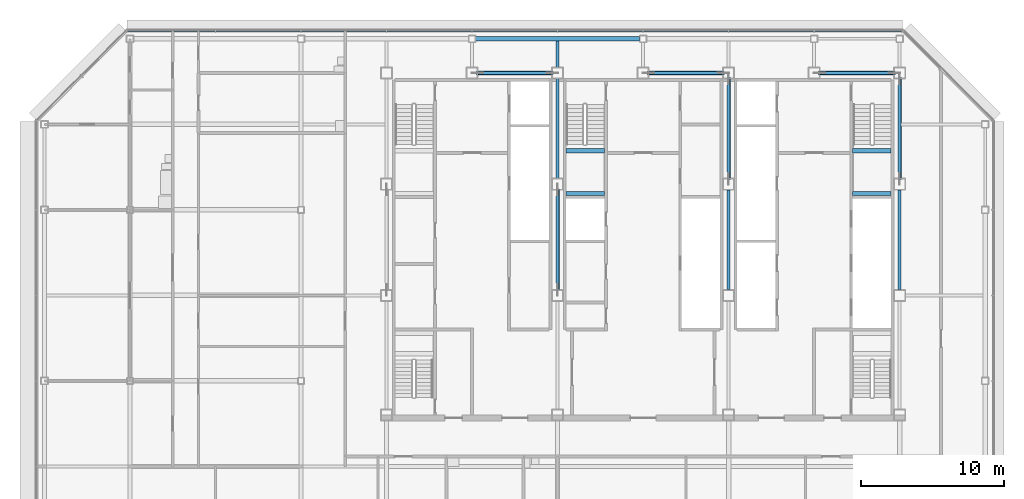
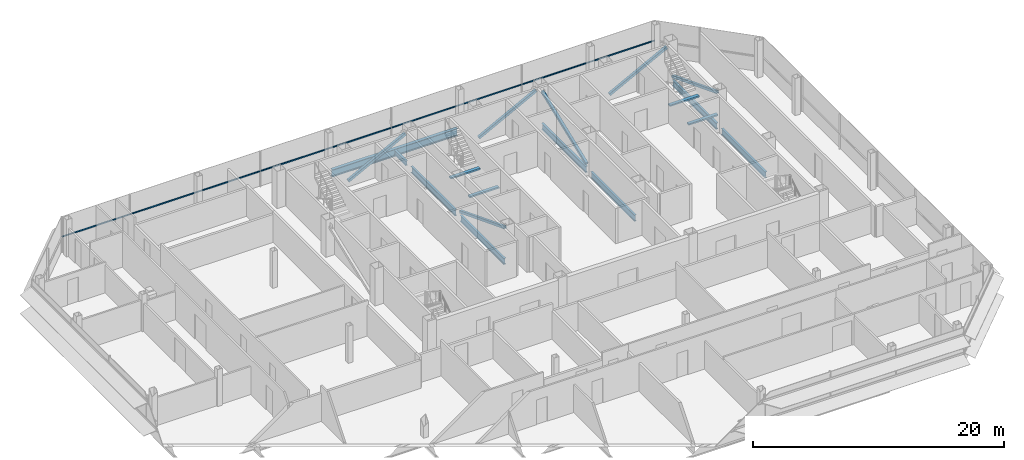
# One storey, part 15 of 27: 12 beams, 7 members, 1 element without a shape of its own.
"""IFC4 building model written with IfcOpenShell, lengths in metres."""

from ifc_helpers import new_model, si_unit, direction, frame, origin, origin_2d, place, context, subcontext, project, spatial, rectangle, hollow_rectangle, i_section, extrude, material, material_profile, profile_set, type_object, element, aggregate, save


model = new_model("IFC4")

# Units and contexts
model_context = context("Model", 3, precision=1e-05, world=origin(), true_north=direction((0.0, 1.0)))
body_context = subcontext(model_context, "Body", "Model", "MODEL_VIEW")
ifc_project = project(units=[si_unit("LENGTHUNIT", "METRE"), si_unit("AREAUNIT", "SQUARE_METRE"), si_unit("VOLUMEUNIT", "CUBIC_METRE"), si_unit("PLANEANGLEUNIT", "RADIAN"), si_unit("MASSUNIT", "GRAM", prefix="KILO")], contexts=[model_context])

# Site, building, storey
site_placement = place(None, origin())
site = spatial("IfcSite", under=ifc_project, at=site_placement, CompositionType="ELEMENT")
building_placement = place(site_placement, origin())
building = spatial("IfcBuilding", under=site, at=building_placement, Name="Sorahane Residences", CompositionType="ELEMENT")
storey_placement = place(building_placement, frame((0.0, 0.0, 312.39990234375)))
storey = spatial("IfcBuildingStorey", under=building, at=storey_placement, Name="L74", CompositionType="ELEMENT", Elevation=312.39990234375)

# Members
ifc_material_1 = material(Name="Steel Q355B", Category="steel")
ifc_material_profile_1 = material_profile(ifc_material_1, hollow_rectangle(XDim=0.25, YDim=0.25, WallThickness=0.011962890625, InnerFilletRadius=0.006103515625, OuterFilletRadius=0.01806640625, at=origin_2d()), Name="RHS 250x250x12")
ifc_profile_set_1 = profile_set([ifc_material_profile_1], Name="Steel Q355B")
member_type_1 = type_object("IfcMemberType", Name="Core brace RHS 250x250x12 Q355B", PredefinedType="BRACE", material=ifc_profile_set_1)
for number, where, z_axis, x_axis, name in (
    (1, (12.365234375, 45.60009765625, 0.10693359375), (0.886099769192, 0.0, 0.46349455125), (0.0, 1.0, 0.0), "Core brace L74 y45.6-2"),
    (2, (24.365234375, 45.60009765625, 0.10693359375), (0.886099769192, 0.0, 0.46349455125), (0.0, 1.0, 0.0), "Core brace L74 y45.6-4"),
    (3, (36.365234375, 45.60009765625, 0.10693359375), (0.886099769192, 0.0, 0.46349455125), (0.0, 1.0, 0.0), "Core brace L74 y45.6-6"),
):
    element("IfcMember", number, at=place(storey_placement, frame(where, z_axis=z_axis, x_axis=x_axis)), inside=storey, type_object=member_type_1, Name=name, PredefinedType="BRACE", context=body_context, shape_type="SweptSolid", body=[
        extrude(hollow_rectangle(XDim=0.25, YDim=0.25, WallThickness=0.011962890625, InnerFilletRadius=0.006103515625, OuterFilletRadius=0.01806640625, at=origin_2d()), origin(), (0.0, 0.0, 1.0), 5.94677734375),
    ])
member_1_placement = place(storey_placement, frame((42.0, 45.22705078125, 0.114501953125), z_axis=(0.0, -0.932097872445, 0.362206510411), x_axis=(1.0, 0.0, 0.0)))
element("IfcMember", 4, at=member_1_placement, inside=storey, type_object=member_type_1, Name="Core brace L74 x42-3", PredefinedType="BRACE", context=body_context, shape_type="SweptSolid", body=[
    extrude(hollow_rectangle(XDim=0.25, YDim=0.25, WallThickness=0.011962890625, InnerFilletRadius=0.006103515625, OuterFilletRadius=0.01806640625, at=origin_2d()), origin(), (0.0, 0.0, 1.0), 7.568115234375),
])
member_2_placement = place(storey_placement, frame((18.0, 37.42724609375, 0.114501953125), z_axis=(0.0, -0.932102104456, 0.362195619617), x_axis=(1.0, 0.0, 0.0)))
element("IfcMember", 5, at=member_2_placement, inside=storey, type_object=member_type_1, Name="Core brace L74 x18-1", PredefinedType="BRACE", context=body_context, shape_type="SweptSolid", body=[
    extrude(hollow_rectangle(XDim=0.25, YDim=0.25, WallThickness=0.011962890625, InnerFilletRadius=0.006103515625, OuterFilletRadius=0.01806640625, at=origin_2d()), origin(), (0.0, 0.0, 1.0), 7.568359375),
])
member_3_placement = place(storey_placement, frame((30.0, 38.1728515625, 0.114501953125), z_axis=(0.0, 0.932097872445, 0.362206510411), x_axis=(-1.0, 0.0, 0.0)))
element("IfcMember", 6, at=member_3_placement, inside=storey, type_object=member_type_1, Name="Core brace L74 x30-2", PredefinedType="BRACE", context=body_context, shape_type="SweptSolid", body=[
    extrude(hollow_rectangle(XDim=0.25, YDim=0.25, WallThickness=0.011962890625, InnerFilletRadius=0.006103515625, OuterFilletRadius=0.01806640625, at=origin_2d()), origin(), (0.0, 0.0, 1.0), 7.568115234375),
])

# Curtain wall, member
ifc_material_2 = material(Name="Dark low-e glass and black anodised aluminium", Category="aluminium")
curtain_wall_type = type_object("IfcCurtainWallType", Name="Curtain wall CW-1 Typical unitised wall", PredefinedType="NOTDEFINED", material=ifc_material_2)
curtain_wall_placement = place(storey_placement, origin())
curtain_wall = element("IfcCurtainWall", 7, at=curtain_wall_placement, inside=storey, type_object=curtain_wall_type, Name="CW-1 curtain wall L74 N1", PredefinedType="NOTDEFINED")
ifc_material_3 = material(Name="Black anodised aluminium", Category="aluminium")
ifc_material_profile_2 = material_profile(ifc_material_3, rectangle(XDim=0.10009765625, YDim=0.06005859375, at=origin_2d()), Name="Curtain wall transom CW-1 black anodised aluminium 60x100")
ifc_profile_set_2 = profile_set([ifc_material_profile_2], Name="Black anodised aluminium")
member_type_2 = type_object("IfcMemberType", Name="Curtain wall transom CW-1 black anodised aluminium 60x100", PredefinedType="USERDEFINED", material=ifc_profile_set_2)
member_4_placement = place(storey_placement, frame((42.198486328125, 48.530029296875, 1.5), z_axis=(-1.0, 0.0, 0.0), x_axis=(0.0, -1.0, 0.0)))
member_4 = element("IfcMember", 8, at=member_4_placement, type_object=member_type_2, Name="CW-1 transom L74 N1", ObjectType="TRANSOM", PredefinedType="USERDEFINED", context=body_context, shape_type="SweptSolid", body=[
    extrude(rectangle(XDim=0.10009765625, YDim=0.06005859375, at=origin_2d()), origin(), (0.0, 0.0, 1.0), 54.39697265625),
])
aggregate(curtain_wall, [member_4])

# Beams
ifc_material_4 = material(Name="Concrete C40", Category="concrete")
ifc_material_profile_3 = material_profile(ifc_material_4, rectangle(XDim=0.300048828125, YDim=0.139892578125, at=origin_2d()), Name="300x140")
ifc_profile_set_3 = profile_set([ifc_material_profile_3], Name="Concrete C40")
beam_type_1 = type_object("IfcBeamType", Name="RC landing beam 300 x 140 Concrete C40", PredefinedType="BEAM", material=ifc_profile_set_3)
for number, where, z_axis, x_axis, name in (
    (9, (38.699951171875, 37.14990234375, 1.530029296875), (1.0, 0.0, 0.0), (0.0, 1.0, 0.0), "Landing beam"),
    (10, (38.699951171875, 40.14990234375, 1.530029296875), (1.0, 0.0, 0.0), (0.0, 1.0, 0.0), "Landing beam"),
    (11, (18.60009765625, 37.14990234375, 1.530029296875), (1.0, 0.0, 0.0), (0.0, 1.0, 0.0), "Landing beam"),
    (12, (18.60009765625, 40.14990234375, 1.530029296875), (1.0, 0.0, 0.0), (0.0, 1.0, 0.0), "Landing beam"),
):
    element("IfcBeam", number, at=place(storey_placement, frame(where, z_axis=z_axis, x_axis=x_axis)), inside=storey, type_object=beam_type_1, Name=name, PredefinedType="BEAM", context=body_context, shape_type="SweptSolid", body=[
        extrude(rectangle(XDim=0.300048828125, YDim=0.139892578125, at=origin_2d()), origin(), (0.0, 0.0, 1.0), 2.699951171875),
    ])
ifc_material_5 = material(Name="Steel Q355B", Category="steel")
ifc_material_profile_4 = material_profile(ifc_material_5, i_section(OverallWidth=0.199951171875, OverallDepth=0.449951171875, WebThickness=0.009033203125, FlangeThickness=0.013916015625, FilletRadius=0.02001953125, at=origin_2d()), Name="HN 450x200x9x14")
ifc_profile_set_4 = profile_set([ifc_material_profile_4], Name="Steel Q355B")
beam_type_2 = type_object("IfcBeamType", Name="Steel floor beam HN 450x200x9x14 Q355B", PredefinedType="BEAM", material=ifc_profile_set_4)
beam_1_placement = place(storey_placement, frame((18.0, 46.0, -0.40478515625), z_axis=(0.0, 1.0, 0.0), x_axis=(-1.0, 0.0, 0.0)))
element("IfcBeam", 13, at=beam_1_placement, inside=storey, type_object=beam_type_2, Name="Beam L74 045", PredefinedType="BEAM", context=body_context, shape_type="SweptSolid", body=[
    extrude(i_section(OverallWidth=0.199951171875, OverallDepth=0.449951171875, WebThickness=0.009033203125, FlangeThickness=0.013916015625, FilletRadius=0.02001953125, at=origin_2d()), origin(), (0.0, 0.0, 1.0), 1.85009765625),
])
ifc_material_6 = material(Name="Steel Q355B", Category="steel")
ifc_material_profile_5 = material_profile(ifc_material_6, i_section(OverallWidth=0.199951171875, OverallDepth=0.60009765625, WebThickness=0.010986328125, FlangeThickness=0.01708984375, FilletRadius=0.02392578125, at=origin_2d()), Name="HN 600x200x11x17")
ifc_profile_set_5 = profile_set([ifc_material_profile_5], Name="Steel Q355B")
beam_type_3 = type_object("IfcBeamType", Name="Steel floor beam HN 600x200x11x17 Q355B", PredefinedType="BEAM", material=ifc_profile_set_5)
for number, where, z_axis, x_axis, name in (
    (14, (18.0, 30.39990234375, -0.47998046875), (0.0, 1.0, 0.0), (-1.0, 0.0, 0.0), "Beam L74 043"),
    (15, (18.0, 38.199951171875, -0.47998046875), (0.0, 1.0, 0.0), (-1.0, 0.0, 0.0), "Beam L74 044"),
    (16, (30.0, 30.39990234375, -0.47998046875), (0.0, 1.0, 0.0), (-1.0, 0.0, 0.0), "Beam L74 051"),
    (17, (30.0, 38.199951171875, -0.47998046875), (0.0, 1.0, 0.0), (-1.0, 0.0, 0.0), "Beam L74 052"),
    (18, (42.0, 30.39990234375, -0.47998046875), (0.0, 1.0, 0.0), (-1.0, 0.0, 0.0), "Beam L74 059"),
    (19, (42.0, 38.199951171875, -0.47998046875), (0.0, 1.0, 0.0), (-1.0, 0.0, 0.0), "Beam L74 060"),
):
    element("IfcBeam", number, at=place(storey_placement, frame(where, z_axis=z_axis, x_axis=x_axis)), inside=storey, type_object=beam_type_3, Name=name, PredefinedType="BEAM", context=body_context, shape_type="SweptSolid", body=[
        extrude(i_section(OverallWidth=0.199951171875, OverallDepth=0.60009765625, WebThickness=0.010986328125, FlangeThickness=0.01708984375, FilletRadius=0.02392578125, at=origin_2d()), origin(), (0.0, 0.0, 1.0), 7.0),
    ])
ifc_material_7 = material(Name="Steel Q355B", Category="steel")
ifc_material_profile_6 = material_profile(ifc_material_7, i_section(OverallWidth=0.300048828125, OverallDepth=0.699951171875, WebThickness=0.012939453125, FlangeThickness=0.02392578125, FilletRadius=0.028076171875, at=origin_2d()), Name="HN 700x300x13x24")
ifc_profile_set_6 = profile_set([ifc_material_profile_6], Name="Steel Q355B")
beam_type_4 = type_object("IfcBeamType", Name="Steel floor beam HN 700x300x13x24 Q355B", PredefinedType="BEAM", material=ifc_profile_set_6)
beam_2_placement = place(storey_placement, frame((12.25, 48.0, -0.52978515625), z_axis=(1.0, 0.0, 0.0), x_axis=(0.0, 1.0, 0.0)))
element("IfcBeam", 20, at=beam_2_placement, inside=storey, type_object=beam_type_4, Name="Beam L74 017", PredefinedType="BEAM", context=body_context, shape_type="SweptSolid", body=[
    extrude(i_section(OverallWidth=0.300048828125, OverallDepth=0.699951171875, WebThickness=0.012939453125, FlangeThickness=0.02392578125, FilletRadius=0.028076171875, at=origin_2d()), origin(), (0.0, 0.0, 1.0), 11.5),
])

save(model, "model.ifc")
